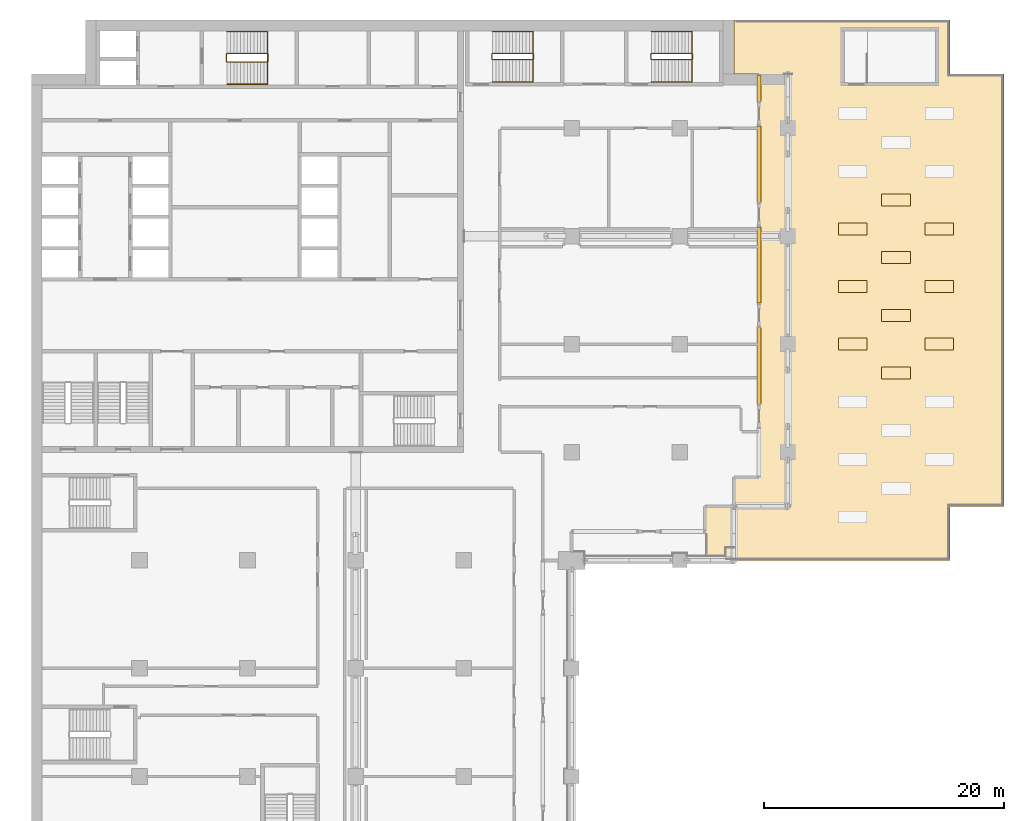
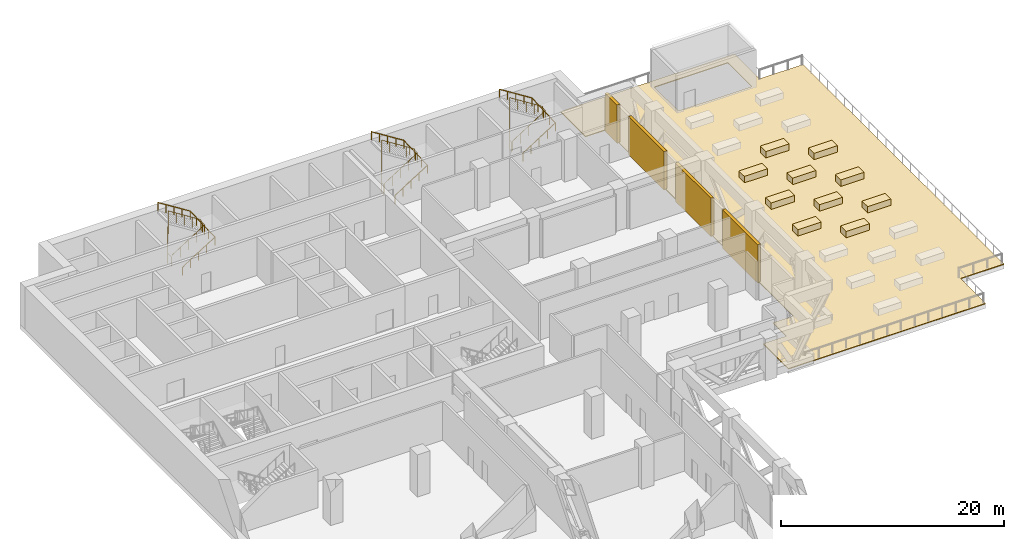
# One storey, part 21 of 22: 11 coverings, 6 railings, 4 shading devices.
"""IFC4 building model written with IfcOpenShell, lengths in metres."""

from ifc_helpers import new_model, si_unit, direction, frame, origin, origin_2d, place, context, subcontext, project, spatial, polyline, rectangle, circle, outline, extrude, material, layer, layer_set, type_object, element, save


model = new_model("IFC4")

# Units and contexts
model_context = context("Model", 3, precision=1e-05, world=origin(), true_north=direction((0.0, 1.0)))
body_context = subcontext(model_context, "Body", "Model", "MODEL_VIEW")
ifc_project = project(units=[si_unit("LENGTHUNIT", "METRE"), si_unit("AREAUNIT", "SQUARE_METRE"), si_unit("VOLUMEUNIT", "CUBIC_METRE"), si_unit("PLANEANGLEUNIT", "RADIAN"), si_unit("MASSUNIT", "GRAM", prefix="KILO")], contexts=[model_context])

# Site, building, storey
site_placement = place(None, origin())
site = spatial("IfcSite", under=ifc_project, at=site_placement, CompositionType="ELEMENT")
building_placement = place(site_placement, origin())
building = spatial("IfcBuilding", under=site, at=building_placement, Name="Hunhe Ridgeline Campus", CompositionType="ELEMENT")
storey_placement = place(building_placement, frame((0.0, 0.0, 129.199951171875)))
storey = spatial("IfcBuildingStorey", under=building, at=storey_placement, Name="L32", CompositionType="ELEMENT", Elevation=129.199951171875)

# Shading devices
ifc_material_1 = material(Name="Aluminium 6063", Category="aluminium")
ifc_layer_1 = layer(ifc_material_1, 0.300048828125)
ifc_layer_set_1 = layer_set([ifc_layer_1], Name="Louvre bank 300 Aluminium 6063")
shading_device_type = type_object("IfcShadingDeviceType", Name="Louvre bank 300 Aluminium 6063", PredefinedType="USERDEFINED", material=ifc_layer_set_1)
for number, where, z_axis, x_axis, name in (
    (1, (60.59912109375, 70.20068359375, 0.0), (0.0, 0.0, 1.0), (0.0, 1.0, 0.0), "Louvre bank 24"),
    (2, (60.59912109375, 78.6005859375, 0.0), (0.0, 0.0, 1.0), (0.0, 1.0, 0.0), "Louvre bank 25"),
    (3, (60.59912109375, 87.000244140625, 0.0), (0.0, 0.0, 1.0), (0.0, 1.0, 0.0), "Louvre bank 26"),
):
    element("IfcShadingDevice", number, at=place(storey_placement, frame(where, z_axis=z_axis, x_axis=x_axis)), inside=storey, type_object=shading_device_type, Name=name, ObjectType="LOUVRE", PredefinedType="USERDEFINED", context=body_context, shape_type="SweptSolid", body=[
        extrude(rectangle(XDim=6.35986328125, YDim=0.300048828125, at=origin_2d()), origin(), (0.0, 0.0, 1.0), 4.199951171875),
    ])
shading_device_placement = place(storey_placement, frame((60.59912109375, 93.300048828125, 0.0), z_axis=(0.0, 0.0, 1.0), x_axis=(0.0, 1.0, 0.0)))
element("IfcShadingDevice", 4, at=shading_device_placement, inside=storey, type_object=shading_device_type, Name="Louvre bank 27", ObjectType="LOUVRE", PredefinedType="USERDEFINED", context=body_context, shape_type="SweptSolid", body=[
    extrude(rectangle(XDim=2.159912109375, YDim=0.300048828125, at=origin_2d()), origin(), (0.0, 0.0, 1.0), 4.199951171875),
])

# Coverings
ifc_material_2 = material(Name="Planting soil")
covering_type_1 = type_object("IfcCoveringType", Name="Planter box 700 planting soil", PredefinedType="USERDEFINED", material=ifc_material_2)
covering_1_placement = place(storey_placement, frame((0.0, 0.0, 0.080078125)))
element("IfcCovering", 5, at=covering_1_placement, inside=storey, type_object=covering_type_1, Name="Planter 4", ObjectType="PLANTER", PredefinedType="USERDEFINED", context=body_context, shape_type="SweptSolid", body=[
    extrude(outline(polyline([(67.199951171875, 71.5), (69.60009765625, 71.5), (69.60009765625, 72.5), (67.199951171875, 72.5), (67.199951171875, 71.5)])), origin(), (0.0, 0.0, 1.0), 0.699951171875),
])
covering_2_placement = place(storey_placement, frame((0.0, 0.0, 0.080078125)))
element("IfcCovering", 6, at=covering_2_placement, inside=storey, type_object=covering_type_1, Name="Planter 5", ObjectType="PLANTER", PredefinedType="USERDEFINED", context=body_context, shape_type="SweptSolid", body=[
    extrude(outline(polyline([(67.199951171875, 76.300048828125), (69.60009765625, 76.300048828125), (69.60009765625, 77.300048828125), (67.199951171875, 77.300048828125), (67.199951171875, 76.300048828125)])), origin(), (0.0, 0.0, 1.0), 0.699951171875),
])
covering_3_placement = place(storey_placement, frame((0.0, 0.0, 0.080078125)))
element("IfcCovering", 7, at=covering_3_placement, inside=storey, type_object=covering_type_1, Name="Planter 6", ObjectType="PLANTER", PredefinedType="USERDEFINED", context=body_context, shape_type="SweptSolid", body=[
    extrude(outline(polyline([(67.199951171875, 81.10009765625), (69.60009765625, 81.10009765625), (69.60009765625, 82.10009765625), (67.199951171875, 82.10009765625), (67.199951171875, 81.10009765625)])), origin(), (0.0, 0.0, 1.0), 0.699951171875),
])
covering_4_placement = place(storey_placement, frame((0.0, 0.0, 0.080078125)))
element("IfcCovering", 8, at=covering_4_placement, inside=storey, type_object=covering_type_1, Name="Planter 11", ObjectType="PLANTER", PredefinedType="USERDEFINED", context=body_context, shape_type="SweptSolid", body=[
    extrude(outline(polyline([(70.800048828125, 69.10009765625), (73.199951171875, 69.10009765625), (73.199951171875, 70.10009765625), (70.800048828125, 70.10009765625), (70.800048828125, 69.10009765625)])), origin(), (0.0, 0.0, 1.0), 0.699951171875),
])
covering_5_placement = place(storey_placement, frame((0.0, 0.0, 0.080078125)))
element("IfcCovering", 9, at=covering_5_placement, inside=storey, type_object=covering_type_1, Name="Planter 12", ObjectType="PLANTER", PredefinedType="USERDEFINED", context=body_context, shape_type="SweptSolid", body=[
    extrude(outline(polyline([(70.800048828125, 73.89990234375), (73.199951171875, 73.89990234375), (73.199951171875, 74.89990234375), (70.800048828125, 74.89990234375), (70.800048828125, 73.89990234375)])), origin(), (0.0, 0.0, 1.0), 0.699951171875),
])
covering_6_placement = place(storey_placement, frame((0.0, 0.0, 0.080078125)))
element("IfcCovering", 10, at=covering_6_placement, inside=storey, type_object=covering_type_1, Name="Planter 13", ObjectType="PLANTER", PredefinedType="USERDEFINED", context=body_context, shape_type="SweptSolid", body=[
    extrude(outline(polyline([(70.800048828125, 78.699951171875), (73.199951171875, 78.699951171875), (73.199951171875, 79.699951171875), (70.800048828125, 79.699951171875), (70.800048828125, 78.699951171875)])), origin(), (0.0, 0.0, 1.0), 0.699951171875),
])
covering_7_placement = place(storey_placement, frame((0.0, 0.0, 0.080078125)))
element("IfcCovering", 11, at=covering_7_placement, inside=storey, type_object=covering_type_1, Name="Planter 14", ObjectType="PLANTER", PredefinedType="USERDEFINED", context=body_context, shape_type="SweptSolid", body=[
    extrude(outline(polyline([(70.800048828125, 83.5), (73.199951171875, 83.5), (73.199951171875, 84.5), (70.800048828125, 84.5), (70.800048828125, 83.5)])), origin(), (0.0, 0.0, 1.0), 0.699951171875),
])
covering_8_placement = place(storey_placement, frame((0.0, 0.0, 0.080078125)))
element("IfcCovering", 12, at=covering_8_placement, inside=storey, type_object=covering_type_1, Name="Planter 18", ObjectType="PLANTER", PredefinedType="USERDEFINED", context=body_context, shape_type="SweptSolid", body=[
    extrude(outline(polyline([(74.39990234375, 71.5), (76.800048828125, 71.5), (76.800048828125, 72.5), (74.39990234375, 72.5), (74.39990234375, 71.5)])), origin(), (0.0, 0.0, 1.0), 0.699951171875),
])
covering_9_placement = place(storey_placement, frame((0.0, 0.0, 0.080078125)))
element("IfcCovering", 13, at=covering_9_placement, inside=storey, type_object=covering_type_1, Name="Planter 19", ObjectType="PLANTER", PredefinedType="USERDEFINED", context=body_context, shape_type="SweptSolid", body=[
    extrude(outline(polyline([(74.39990234375, 76.300048828125), (76.800048828125, 76.300048828125), (76.800048828125, 77.300048828125), (74.39990234375, 77.300048828125), (74.39990234375, 76.300048828125)])), origin(), (0.0, 0.0, 1.0), 0.699951171875),
])
covering_10_placement = place(storey_placement, frame((0.0, 0.0, 0.080078125)))
element("IfcCovering", 14, at=covering_10_placement, inside=storey, type_object=covering_type_1, Name="Planter 20", ObjectType="PLANTER", PredefinedType="USERDEFINED", context=body_context, shape_type="SweptSolid", body=[
    extrude(outline(polyline([(74.39990234375, 81.10009765625), (76.800048828125, 81.10009765625), (76.800048828125, 82.10009765625), (74.39990234375, 82.10009765625), (74.39990234375, 81.10009765625)])), origin(), (0.0, 0.0, 1.0), 0.699951171875),
])

# Railings
ifc_material_3 = material(Name="Stainless steel balustrade", Category="steel")
railing_type_1 = type_object("IfcRailingType", Name="Stair guard 1100 stainless", PredefinedType="GUARDRAIL", material=ifc_material_3)
railing_1_placement = place(storey_placement, frame((16.300048828125, 95.5, 0.177001953125)))
element("IfcRailing", 15, at=railing_1_placement, inside=storey, type_object=railing_type_1, Name="L32 stair S1 guard", PredefinedType="GUARDRAIL", context=body_context, shape_type="SweptSolid", body=[
    extrude(circle(Radius=0.02392578125, at=origin_2d()), frame((0.0, 0.0, 1.076171875), z_axis=(0.845372108799, 0.0, 0.534177870812), x_axis=(0.0, 1.0, 0.0)), (0.0, 0.0, 1.0), 3.974365234375),
    extrude(circle(Radius=0.02392578125, at=origin_2d()), frame((3.35986328125, 0.0, 3.19921875), z_axis=(0.707106781187, 0.707106781187, 0.0), x_axis=(-0.707106781187, 0.707106781187, 0.0)), (0.0, 0.0, 1.0), 0.07080078125),
    extrude(circle(Radius=0.02392578125, at=origin_2d()), frame((3.409912109375, 0.050048828125, 3.19921875), z_axis=(0.0, 1.0, 0.0), x_axis=(-1.0, 0.0, 0.0)), (0.0, 0.0, 1.0), 0.599853515625),
    extrude(circle(Radius=0.02392578125, at=origin_2d()), frame((3.409912109375, 0.64990234375, 3.19921875), z_axis=(-0.262545553595, 0.262545553595, 0.928514762713), x_axis=(-0.707106781187, -0.707106781187, 0.0)), (0.0, 0.0, 1.0), 0.190673828125),
    extrude(circle(Radius=0.02392578125, at=origin_2d()), frame((3.35986328125, 0.699951171875, 3.3759765625), z_axis=(-0.845372108799, 0.0, 0.534177870812), x_axis=(0.0, -1.0, 0.0)), (0.0, 0.0, 1.0), 3.974365234375),
    extrude(circle(Radius=0.02392578125, at=origin_2d()), frame((0.0, 0.699951171875, 5.4990234375), z_axis=(-0.010878661383, -0.010878661383, -0.999881647723), x_axis=(0.707106781187, -0.707106781187, 0.0)), (0.0, 0.0, 1.0), 4.6005859375),
    extrude(circle(Radius=0.02392578125, at=origin_2d()), frame((-0.050048828125, 0.64990234375, 0.89892578125), z_axis=(0.0, -1.0, 0.0), x_axis=(1.0, 0.0, 0.0)), (0.0, 0.0, 1.0), 0.599853515625),
    extrude(circle(Radius=0.02099609375, at=origin_2d()), origin(), (0.0, 0.0, 1.0), 1.052001953125),
    extrude(circle(Radius=0.02099609375, at=origin_2d()), frame((0.83984375, 0.0, 0.53076171875)), (0.0, 0.0, 1.0), 1.052001953125),
    extrude(circle(Radius=0.02099609375, at=origin_2d()), frame((1.679931640625, 0.0, 1.0615234375)), (0.0, 0.0, 1.0), 1.052001953125),
    extrude(circle(Radius=0.02099609375, at=origin_2d()), frame((2.52001953125, 0.0, 1.59228515625)), (0.0, 0.0, 1.0), 1.052001953125),
    extrude(circle(Radius=0.02099609375, at=origin_2d()), frame((3.35986328125, 0.0, 2.123046875)), (0.0, 0.0, 1.0), 1.052001953125),
    extrude(circle(Radius=0.02099609375, at=origin_2d()), frame((3.409912109375, 0.050048828125, 2.123046875)), (0.0, 0.0, 1.0), 1.052001953125),
    extrude(circle(Radius=0.02099609375, at=origin_2d()), frame((3.409912109375, 0.64990234375, 2.123046875)), (0.0, 0.0, 1.0), 1.052001953125),
    extrude(circle(Radius=0.02099609375, at=origin_2d()), frame((3.35986328125, 0.699951171875, 2.300048828125)), (0.0, 0.0, 1.0), 1.052001953125),
    extrude(circle(Radius=0.02099609375, at=origin_2d()), frame((2.52001953125, 0.699951171875, 2.830810546875)), (0.0, 0.0, 1.0), 1.052001953125),
    extrude(circle(Radius=0.02099609375, at=origin_2d()), frame((1.679931640625, 0.699951171875, 3.361572265625)), (0.0, 0.0, 1.0), 1.052001953125),
    extrude(circle(Radius=0.02099609375, at=origin_2d()), frame((0.83984375, 0.699951171875, 3.892333984375)), (0.0, 0.0, 1.0), 1.052001953125),
    extrude(circle(Radius=0.02099609375, at=origin_2d()), frame((0.0, 0.699951171875, 4.423095703125)), (0.0, 0.0, 1.0), 1.052001953125),
    extrude(circle(Radius=0.02099609375, at=origin_2d()), frame((-0.012451171875, 0.6875, 3.27294921875)), (0.0, 0.0, 1.0), 1.052001953125),
    extrude(circle(Radius=0.02099609375, at=origin_2d()), frame((-0.02490234375, 0.6748046875, 2.123046875)), (0.0, 0.0, 1.0), 1.052001953125),
    extrude(circle(Radius=0.02099609375, at=origin_2d()), frame((-0.03759765625, 0.662353515625, 0.97314453125)), (0.0, 0.0, 1.0), 1.052001953125),
    extrude(circle(Radius=0.02099609375, at=origin_2d()), frame((-0.050048828125, 0.64990234375, -0.177001953125)), (0.0, 0.0, 1.0), 1.052001953125),
    extrude(circle(Radius=0.02099609375, at=origin_2d()), frame((-0.050048828125, 0.050048828125, -0.177001953125)), (0.0, 0.0, 1.0), 1.052001953125),
])
railing_2_placement = place(storey_placement, frame((38.39990234375, 95.699951171875, 0.177001953125)))
element("IfcRailing", 16, at=railing_2_placement, inside=storey, type_object=railing_type_1, Name="L32 stair E1 guard", PredefinedType="GUARDRAIL", context=body_context, shape_type="SweptSolid", body=[
    extrude(circle(Radius=0.02392578125, at=origin_2d()), frame((0.0, 0.0, 1.076171875), z_axis=(0.845389635667, 0.0, 0.534150132366), x_axis=(0.0, 1.0, 0.0)), (0.0, 0.0, 1.0), 3.974609375),
    extrude(circle(Radius=0.02392578125, at=origin_2d()), frame((3.360107421875, 0.0, 3.19921875), z_axis=(0.707106781187, 0.707106781187, 0.0), x_axis=(-0.707106781187, 0.707106781187, 0.0)), (0.0, 0.0, 1.0), 0.07080078125),
    extrude(circle(Radius=0.02392578125, at=origin_2d()), frame((3.41015625, 0.050048828125, 3.19921875), z_axis=(0.0, 1.0, 0.0), x_axis=(-1.0, 0.0, 0.0)), (0.0, 0.0, 1.0), 0.39990234375),
    extrude(circle(Radius=0.02392578125, at=origin_2d()), frame((3.41015625, 0.449951171875, 3.19921875), z_axis=(-0.262545553595, 0.262545553595, 0.928514762713), x_axis=(-0.707106781187, -0.707106781187, 0.0)), (0.0, 0.0, 1.0), 0.190673828125),
    extrude(circle(Radius=0.02392578125, at=origin_2d()), frame((3.360107421875, 0.5, 3.3759765625), z_axis=(-0.845389635667, 0.0, 0.534150132366), x_axis=(0.0, -1.0, 0.0)), (0.0, 0.0, 1.0), 3.974609375),
    extrude(circle(Radius=0.02392578125, at=origin_2d()), frame((0.0, 0.5, 5.4990234375), z_axis=(-0.010825600977, -0.010878667648, -0.999882223541), x_axis=(0.708833529934, -0.705375805398, 0.0)), (0.0, 0.0, 1.0), 4.6005859375),
    extrude(circle(Radius=0.02392578125, at=origin_2d()), frame((-0.0498046875, 0.449951171875, 0.89892578125), z_axis=(0.0, -1.0, 0.0), x_axis=(1.0, 0.0, 0.0)), (0.0, 0.0, 1.0), 0.39990234375),
    extrude(circle(Radius=0.02099609375, at=origin_2d()), origin(), (0.0, 0.0, 1.0), 1.052001953125),
    extrude(circle(Radius=0.02099609375, at=origin_2d()), frame((0.840087890625, 0.0, 0.53076171875)), (0.0, 0.0, 1.0), 1.052001953125),
    extrude(circle(Radius=0.02099609375, at=origin_2d()), frame((1.68017578125, 0.0, 1.0615234375)), (0.0, 0.0, 1.0), 1.052001953125),
    extrude(circle(Radius=0.02099609375, at=origin_2d()), frame((2.52001953125, 0.0, 1.59228515625)), (0.0, 0.0, 1.0), 1.052001953125),
    extrude(circle(Radius=0.02099609375, at=origin_2d()), frame((3.360107421875, 0.0, 2.123046875)), (0.0, 0.0, 1.0), 1.052001953125),
    extrude(circle(Radius=0.02099609375, at=origin_2d()), frame((3.41015625, 0.050048828125, 2.123046875)), (0.0, 0.0, 1.0), 1.052001953125),
    extrude(circle(Radius=0.02099609375, at=origin_2d()), frame((3.41015625, 0.449951171875, 2.123046875)), (0.0, 0.0, 1.0), 1.052001953125),
    extrude(circle(Radius=0.02099609375, at=origin_2d()), frame((3.360107421875, 0.5, 2.300048828125)), (0.0, 0.0, 1.0), 1.052001953125),
    extrude(circle(Radius=0.02099609375, at=origin_2d()), frame((2.52001953125, 0.5, 2.830810546875)), (0.0, 0.0, 1.0), 1.052001953125),
    extrude(circle(Radius=0.02099609375, at=origin_2d()), frame((1.68017578125, 0.5, 3.361572265625)), (0.0, 0.0, 1.0), 1.052001953125),
    extrude(circle(Radius=0.02099609375, at=origin_2d()), frame((0.840087890625, 0.5, 3.892333984375)), (0.0, 0.0, 1.0), 1.052001953125),
    extrude(circle(Radius=0.02099609375, at=origin_2d()), frame((0.0, 0.5, 4.423095703125)), (0.0, 0.0, 1.0), 1.052001953125),
    extrude(circle(Radius=0.02099609375, at=origin_2d()), frame((-0.012451171875, 0.487548828125, 3.27294921875)), (0.0, 0.0, 1.0), 1.052001953125),
    extrude(circle(Radius=0.02099609375, at=origin_2d()), frame((-0.02490234375, 0.47509765625, 2.123046875)), (0.0, 0.0, 1.0), 1.052001953125),
    extrude(circle(Radius=0.02099609375, at=origin_2d()), frame((-0.037353515625, 0.46240234375, 0.97314453125)), (0.0, 0.0, 1.0), 1.052001953125),
    extrude(circle(Radius=0.02099609375, at=origin_2d()), frame((-0.0498046875, 0.449951171875, -0.177001953125)), (0.0, 0.0, 1.0), 1.052001953125),
    extrude(circle(Radius=0.02099609375, at=origin_2d()), frame((-0.0498046875, 0.050048828125, -0.177001953125)), (0.0, 0.0, 1.0), 1.052001953125),
])
railing_3_placement = place(storey_placement, frame((51.64990234375, 95.699951171875, 0.177001953125)))
element("IfcRailing", 17, at=railing_3_placement, inside=storey, type_object=railing_type_1, Name="L32 stair E2 guard", PredefinedType="GUARDRAIL", context=body_context, shape_type="SweptSolid", body=[
    extrude(circle(Radius=0.02392578125, at=origin_2d()), frame((0.0, 0.0, 1.076171875), z_axis=(0.845389635667, 0.0, 0.534150132366), x_axis=(0.0, 1.0, 0.0)), (0.0, 0.0, 1.0), 3.974609375),
    extrude(circle(Radius=0.02392578125, at=origin_2d()), frame((3.360107421875, 0.0, 3.19921875), z_axis=(0.707106781187, 0.707106781187, 0.0), x_axis=(-0.707106781187, 0.707106781187, 0.0)), (0.0, 0.0, 1.0), 0.07080078125),
    extrude(circle(Radius=0.02392578125, at=origin_2d()), frame((3.41015625, 0.050048828125, 3.19921875), z_axis=(0.0, 1.0, 0.0), x_axis=(-1.0, 0.0, 0.0)), (0.0, 0.0, 1.0), 0.39990234375),
    extrude(circle(Radius=0.02392578125, at=origin_2d()), frame((3.41015625, 0.449951171875, 3.19921875), z_axis=(-0.262545553595, 0.262545553595, 0.928514762713), x_axis=(-0.707106781187, -0.707106781187, 0.0)), (0.0, 0.0, 1.0), 0.190673828125),
    extrude(circle(Radius=0.02392578125, at=origin_2d()), frame((3.360107421875, 0.5, 3.3759765625), z_axis=(-0.845389635667, 0.0, 0.534150132366), x_axis=(0.0, -1.0, 0.0)), (0.0, 0.0, 1.0), 3.974609375),
    extrude(circle(Radius=0.02392578125, at=origin_2d()), frame((0.0, 0.5, 5.4990234375), z_axis=(-0.010825600977, -0.010878667648, -0.999882223541), x_axis=(0.708833529934, -0.705375805398, 0.0)), (0.0, 0.0, 1.0), 4.6005859375),
    extrude(circle(Radius=0.02392578125, at=origin_2d()), frame((-0.0498046875, 0.449951171875, 0.89892578125), z_axis=(0.0, -1.0, 0.0), x_axis=(1.0, 0.0, 0.0)), (0.0, 0.0, 1.0), 0.39990234375),
    extrude(circle(Radius=0.02099609375, at=origin_2d()), origin(), (0.0, 0.0, 1.0), 1.052001953125),
    extrude(circle(Radius=0.02099609375, at=origin_2d()), frame((0.840087890625, 0.0, 0.53076171875)), (0.0, 0.0, 1.0), 1.052001953125),
    extrude(circle(Radius=0.02099609375, at=origin_2d()), frame((1.68017578125, 0.0, 1.0615234375)), (0.0, 0.0, 1.0), 1.052001953125),
    extrude(circle(Radius=0.02099609375, at=origin_2d()), frame((2.52001953125, 0.0, 1.59228515625)), (0.0, 0.0, 1.0), 1.052001953125),
    extrude(circle(Radius=0.02099609375, at=origin_2d()), frame((3.360107421875, 0.0, 2.123046875)), (0.0, 0.0, 1.0), 1.052001953125),
    extrude(circle(Radius=0.02099609375, at=origin_2d()), frame((3.41015625, 0.050048828125, 2.123046875)), (0.0, 0.0, 1.0), 1.052001953125),
    extrude(circle(Radius=0.02099609375, at=origin_2d()), frame((3.41015625, 0.449951171875, 2.123046875)), (0.0, 0.0, 1.0), 1.052001953125),
    extrude(circle(Radius=0.02099609375, at=origin_2d()), frame((3.360107421875, 0.5, 2.300048828125)), (0.0, 0.0, 1.0), 1.052001953125),
    extrude(circle(Radius=0.02099609375, at=origin_2d()), frame((2.52001953125, 0.5, 2.830810546875)), (0.0, 0.0, 1.0), 1.052001953125),
    extrude(circle(Radius=0.02099609375, at=origin_2d()), frame((1.68017578125, 0.5, 3.361572265625)), (0.0, 0.0, 1.0), 1.052001953125),
    extrude(circle(Radius=0.02099609375, at=origin_2d()), frame((0.840087890625, 0.5, 3.892333984375)), (0.0, 0.0, 1.0), 1.052001953125),
    extrude(circle(Radius=0.02099609375, at=origin_2d()), frame((0.0, 0.5, 4.423095703125)), (0.0, 0.0, 1.0), 1.052001953125),
    extrude(circle(Radius=0.02099609375, at=origin_2d()), frame((-0.012451171875, 0.487548828125, 3.27294921875)), (0.0, 0.0, 1.0), 1.052001953125),
    extrude(circle(Radius=0.02099609375, at=origin_2d()), frame((-0.02490234375, 0.47509765625, 2.123046875)), (0.0, 0.0, 1.0), 1.052001953125),
    extrude(circle(Radius=0.02099609375, at=origin_2d()), frame((-0.037353515625, 0.46240234375, 0.97314453125)), (0.0, 0.0, 1.0), 1.052001953125),
    extrude(circle(Radius=0.02099609375, at=origin_2d()), frame((-0.0498046875, 0.449951171875, -0.177001953125)), (0.0, 0.0, 1.0), 1.052001953125),
    extrude(circle(Radius=0.02099609375, at=origin_2d()), frame((-0.0498046875, 0.050048828125, -0.177001953125)), (0.0, 0.0, 1.0), 1.052001953125),
])
ifc_material_4 = material(Name="Stainless steel handrail", Category="steel")
railing_type_2 = type_object("IfcRailingType", Name="Stair handrail 900 stainless", PredefinedType="HANDRAIL", material=ifc_material_4)
railing_4_placement = place(storey_placement, frame((16.300048828125, 93.64990234375, 0.177001953125)))
element("IfcRailing", 18, at=railing_4_placement, inside=storey, type_object=railing_type_2, Name="L32 stair S1 handrail", PredefinedType="HANDRAIL", context=body_context, shape_type="SweptSolid", body=[
    extrude(circle(Radius=0.02392578125, at=origin_2d()), frame((0.0, 0.0, 0.8759765625), z_axis=(0.845372108799, 0.0, 0.534177870812), x_axis=(0.0, 1.0, 0.0)), (0.0, 0.0, 1.0), 3.974365234375),
    extrude(circle(Radius=0.02392578125, at=origin_2d()), frame((3.35986328125, 0.0, 2.9990234375), z_axis=(0.0, 0.999191899876, 0.040193870466), x_axis=(-1.0, 0.0, 0.0)), (0.0, 0.0, 1.0), 4.40380859375),
    extrude(circle(Radius=0.02392578125, at=origin_2d()), frame((3.35986328125, 4.400146484375, 3.17578125), z_axis=(-0.845372108799, 0.0, 0.534177870812), x_axis=(0.0, -1.0, 0.0)), (0.0, 0.0, 1.0), 3.974365234375),
    extrude(circle(Radius=0.02099609375, at=origin_2d()), origin(), (0.0, 0.0, 1.0), 0.851806640625),
    extrude(circle(Radius=0.02099609375, at=origin_2d()), frame((0.83984375, 0.0, 0.53076171875)), (0.0, 0.0, 1.0), 0.851806640625),
    extrude(circle(Radius=0.02099609375, at=origin_2d()), frame((1.679931640625, 0.0, 1.0615234375)), (0.0, 0.0, 1.0), 0.851806640625),
    extrude(circle(Radius=0.02099609375, at=origin_2d()), frame((2.52001953125, 0.0, 1.59228515625)), (0.0, 0.0, 1.0), 0.851806640625),
    extrude(circle(Radius=0.02099609375, at=origin_2d()), frame((3.35986328125, 0.0, 2.123046875)), (0.0, 0.0, 1.0), 0.851806640625),
    extrude(circle(Radius=0.02099609375, at=origin_2d()), frame((3.35986328125, 1.10009765625, 2.167236328125)), (0.0, 0.0, 1.0), 0.851806640625),
    extrude(circle(Radius=0.02099609375, at=origin_2d()), frame((3.35986328125, 2.2001953125, 2.21142578125)), (0.0, 0.0, 1.0), 0.851806640625),
    extrude(circle(Radius=0.02099609375, at=origin_2d()), frame((3.35986328125, 3.300048828125, 2.255859375)), (0.0, 0.0, 1.0), 0.851806640625),
    extrude(circle(Radius=0.02099609375, at=origin_2d()), frame((3.35986328125, 4.400146484375, 2.300048828125)), (0.0, 0.0, 1.0), 0.851806640625),
    extrude(circle(Radius=0.02099609375, at=origin_2d()), frame((2.52001953125, 4.400146484375, 2.830810546875)), (0.0, 0.0, 1.0), 0.851806640625),
    extrude(circle(Radius=0.02099609375, at=origin_2d()), frame((1.679931640625, 4.400146484375, 3.361572265625)), (0.0, 0.0, 1.0), 0.851806640625),
    extrude(circle(Radius=0.02099609375, at=origin_2d()), frame((0.83984375, 4.400146484375, 3.892333984375)), (0.0, 0.0, 1.0), 0.851806640625),
    extrude(circle(Radius=0.02099609375, at=origin_2d()), frame((0.0, 4.400146484375, 4.423095703125)), (0.0, 0.0, 1.0), 0.851806640625),
])
railing_5_placement = place(storey_placement, frame((38.39990234375, 93.85009765625, 0.177001953125)))
element("IfcRailing", 19, at=railing_5_placement, inside=storey, type_object=railing_type_2, Name="L32 stair E1 handrail", PredefinedType="HANDRAIL", context=body_context, shape_type="SweptSolid", body=[
    extrude(circle(Radius=0.02392578125, at=origin_2d()), frame((0.0, 0.0, 0.8759765625), z_axis=(0.845389635667, 0.0, 0.534150132366), x_axis=(0.0, 1.0, 0.0)), (0.0, 0.0, 1.0), 3.974609375),
    extrude(circle(Radius=0.02392578125, at=origin_2d()), frame((3.360107421875, 0.0, 2.9990234375), z_axis=(0.0, 0.999113130752, 0.042106436075), x_axis=(-1.0, 0.0, 0.0)), (0.0, 0.0, 1.0), 4.20361328125),
    extrude(circle(Radius=0.02392578125, at=origin_2d()), frame((3.360107421875, 4.199951171875, 3.17578125), z_axis=(-0.845389635667, 0.0, 0.534150132366), x_axis=(0.0, -1.0, 0.0)), (0.0, 0.0, 1.0), 3.974609375),
    extrude(circle(Radius=0.02099609375, at=origin_2d()), origin(), (0.0, 0.0, 1.0), 0.851806640625),
    extrude(circle(Radius=0.02099609375, at=origin_2d()), frame((0.840087890625, 0.0, 0.53076171875)), (0.0, 0.0, 1.0), 0.851806640625),
    extrude(circle(Radius=0.02099609375, at=origin_2d()), frame((1.68017578125, 0.0, 1.0615234375)), (0.0, 0.0, 1.0), 0.851806640625),
    extrude(circle(Radius=0.02099609375, at=origin_2d()), frame((2.52001953125, 0.0, 1.59228515625)), (0.0, 0.0, 1.0), 0.851806640625),
    extrude(circle(Radius=0.02099609375, at=origin_2d()), frame((3.360107421875, 0.0, 2.123046875)), (0.0, 0.0, 1.0), 0.851806640625),
    extrude(circle(Radius=0.02099609375, at=origin_2d()), frame((3.360107421875, 1.050048828125, 2.167236328125)), (0.0, 0.0, 1.0), 0.851806640625),
    extrude(circle(Radius=0.02099609375, at=origin_2d()), frame((3.360107421875, 2.10009765625, 2.21142578125)), (0.0, 0.0, 1.0), 0.851806640625),
    extrude(circle(Radius=0.02099609375, at=origin_2d()), frame((3.360107421875, 3.14990234375, 2.255859375)), (0.0, 0.0, 1.0), 0.851806640625),
    extrude(circle(Radius=0.02099609375, at=origin_2d()), frame((3.360107421875, 4.199951171875, 2.300048828125)), (0.0, 0.0, 1.0), 0.851806640625),
    extrude(circle(Radius=0.02099609375, at=origin_2d()), frame((2.52001953125, 4.199951171875, 2.830810546875)), (0.0, 0.0, 1.0), 0.851806640625),
    extrude(circle(Radius=0.02099609375, at=origin_2d()), frame((1.68017578125, 4.199951171875, 3.361572265625)), (0.0, 0.0, 1.0), 0.851806640625),
    extrude(circle(Radius=0.02099609375, at=origin_2d()), frame((0.840087890625, 4.199951171875, 3.892333984375)), (0.0, 0.0, 1.0), 0.851806640625),
    extrude(circle(Radius=0.02099609375, at=origin_2d()), frame((0.0, 4.199951171875, 4.423095703125)), (0.0, 0.0, 1.0), 0.851806640625),
])
railing_6_placement = place(storey_placement, frame((51.64990234375, 93.85009765625, 0.177001953125)))
element("IfcRailing", 20, at=railing_6_placement, inside=storey, type_object=railing_type_2, Name="L32 stair E2 handrail", PredefinedType="HANDRAIL", context=body_context, shape_type="SweptSolid", body=[
    extrude(circle(Radius=0.02392578125, at=origin_2d()), frame((0.0, 0.0, 0.8759765625), z_axis=(0.845389635667, 0.0, 0.534150132366), x_axis=(0.0, 1.0, 0.0)), (0.0, 0.0, 1.0), 3.974609375),
    extrude(circle(Radius=0.02392578125, at=origin_2d()), frame((3.360107421875, 0.0, 2.9990234375), z_axis=(0.0, 0.999113130752, 0.042106436075), x_axis=(-1.0, 0.0, 0.0)), (0.0, 0.0, 1.0), 4.20361328125),
    extrude(circle(Radius=0.02392578125, at=origin_2d()), frame((3.360107421875, 4.199951171875, 3.17578125), z_axis=(-0.845389635667, 0.0, 0.534150132366), x_axis=(0.0, -1.0, 0.0)), (0.0, 0.0, 1.0), 3.974609375),
    extrude(circle(Radius=0.02099609375, at=origin_2d()), origin(), (0.0, 0.0, 1.0), 0.851806640625),
    extrude(circle(Radius=0.02099609375, at=origin_2d()), frame((0.840087890625, 0.0, 0.53076171875)), (0.0, 0.0, 1.0), 0.851806640625),
    extrude(circle(Radius=0.02099609375, at=origin_2d()), frame((1.68017578125, 0.0, 1.0615234375)), (0.0, 0.0, 1.0), 0.851806640625),
    extrude(circle(Radius=0.02099609375, at=origin_2d()), frame((2.52001953125, 0.0, 1.59228515625)), (0.0, 0.0, 1.0), 0.851806640625),
    extrude(circle(Radius=0.02099609375, at=origin_2d()), frame((3.360107421875, 0.0, 2.123046875)), (0.0, 0.0, 1.0), 0.851806640625),
    extrude(circle(Radius=0.02099609375, at=origin_2d()), frame((3.360107421875, 1.050048828125, 2.167236328125)), (0.0, 0.0, 1.0), 0.851806640625),
    extrude(circle(Radius=0.02099609375, at=origin_2d()), frame((3.360107421875, 2.10009765625, 2.21142578125)), (0.0, 0.0, 1.0), 0.851806640625),
    extrude(circle(Radius=0.02099609375, at=origin_2d()), frame((3.360107421875, 3.14990234375, 2.255859375)), (0.0, 0.0, 1.0), 0.851806640625),
    extrude(circle(Radius=0.02099609375, at=origin_2d()), frame((3.360107421875, 4.199951171875, 2.300048828125)), (0.0, 0.0, 1.0), 0.851806640625),
    extrude(circle(Radius=0.02099609375, at=origin_2d()), frame((2.52001953125, 4.199951171875, 2.830810546875)), (0.0, 0.0, 1.0), 0.851806640625),
    extrude(circle(Radius=0.02099609375, at=origin_2d()), frame((1.68017578125, 4.199951171875, 3.361572265625)), (0.0, 0.0, 1.0), 0.851806640625),
    extrude(circle(Radius=0.02099609375, at=origin_2d()), frame((0.840087890625, 4.199951171875, 3.892333984375)), (0.0, 0.0, 1.0), 0.851806640625),
    extrude(circle(Radius=0.02099609375, at=origin_2d()), frame((0.0, 4.199951171875, 4.423095703125)), (0.0, 0.0, 1.0), 0.851806640625),
])

# Covering
ifc_material_5 = material(Name="Precast concrete C30 paving", Category="concrete")
ifc_layer_2 = layer(ifc_material_5, 0.080078125)
ifc_layer_set_2 = layer_set([ifc_layer_2], Name="Terrace paving 80 Concrete C30 pavers")
covering_type_2 = type_object("IfcCoveringType", Name="Terrace paving 80 Concrete C30 pavers", PredefinedType="FLOORING", material=ifc_layer_set_2)
covering_11_placement = place(storey_placement, origin())
element("IfcCovering", 21, at=covering_11_placement, inside=storey, type_object=covering_type_2, Name="Terrace paving 1", PredefinedType="FLOORING", context=body_context, shape_type="SweptSolid", body=[
    extrude(outline(polyline([(56.10009765625, 54.0), (76.5, 54.0), (76.500244140625, 58.499755859375), (81.0, 58.5), (81.0, 94.5), (76.500244140625, 94.500244140625), (76.5, 99.0), (58.5, 99.0), (58.5, 94.5), (60.60009765625, 94.4990234375), (60.60009765625, 60.90087890625), (58.5, 60.89990234375), (58.49951171875, 58.5), (56.10009765625, 58.5), (56.10009765625, 54.0)]), holes=[polyline([(75.300048828125, 93.800048828125), (75.300048828125, 98.10009765625), (67.699951171875, 98.10009765625), (67.699951171875, 93.800048828125), (75.300048828125, 93.800048828125)])]), origin(), (0.0, 0.0, 1.0), 0.080078125),
])

save(model, "model.ifc")
